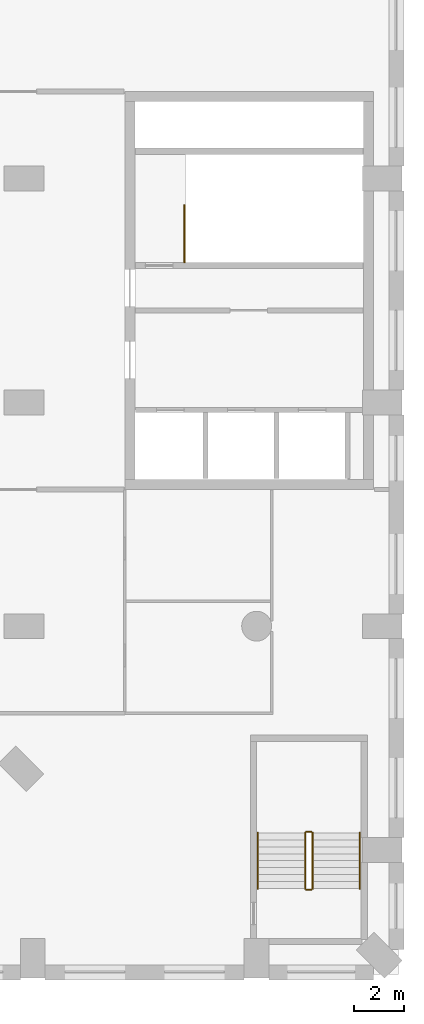
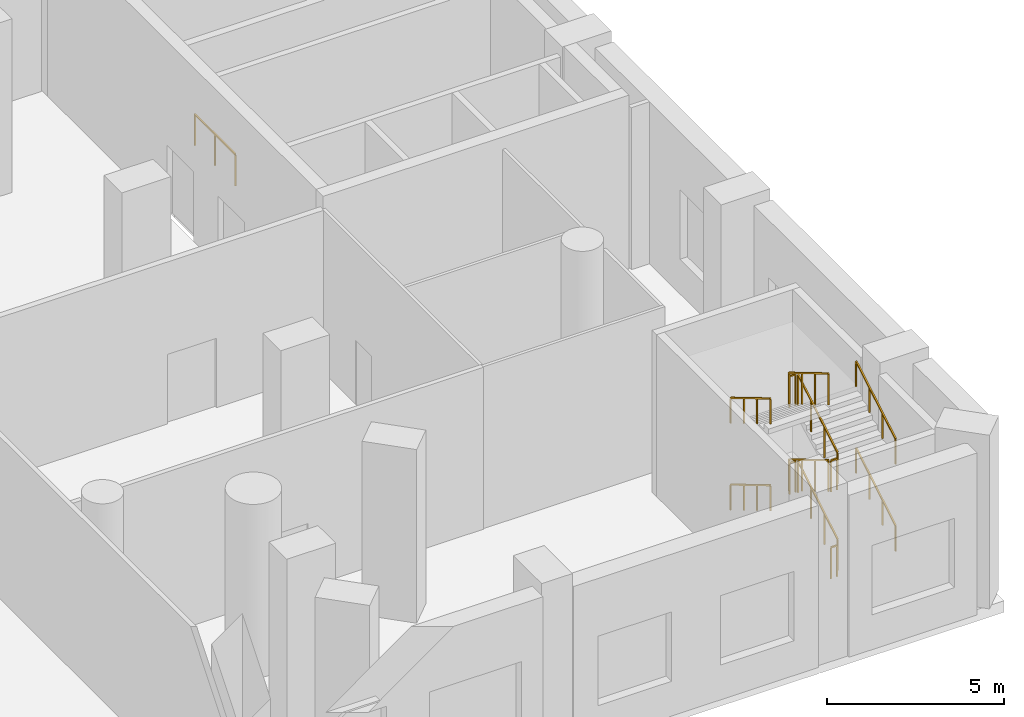
# One storey, part 19 of 19: 13 railings.
"""IFC4 building model written with IfcOpenShell, lengths in metres."""

from ifc_helpers import new_model, si_unit, direction, frame, origin, origin_2d, place, context, subcontext, project, spatial, rectangle, extrude, material, type_object, element, save


model = new_model("IFC4")

# Units and contexts
model_context = context("Model", 3, precision=1e-05, world=origin(), true_north=direction((0.0, 1.0)))
body_context = subcontext(model_context, "Body", "Model", "MODEL_VIEW")
ifc_project = project(units=[si_unit("LENGTHUNIT", "METRE"), si_unit("AREAUNIT", "SQUARE_METRE"), si_unit("VOLUMEUNIT", "CUBIC_METRE"), si_unit("PLANEANGLEUNIT", "RADIAN"), si_unit("MASSUNIT", "GRAM", prefix="KILO")], contexts=[model_context])

# Site, building, storey
site_placement = place(None, origin())
site = spatial("IfcSite", under=ifc_project, at=site_placement, CompositionType="ELEMENT")
building_placement = place(site_placement, origin())
building = spatial("IfcBuilding", under=site, at=building_placement, Name="Cypress Arch Tower", CompositionType="ELEMENT")
storey_placement = place(building_placement, frame((0.0, 0.0, 44.0)))
storey = spatial("IfcBuildingStorey", under=building, at=storey_placement, Name="L05", CompositionType="ELEMENT", Elevation=44.0)

# Railings
ifc_material_1 = material(Name="Black powder-coated steel square bar 48 mm", Category="steel")
railing_type_1 = type_object("IfcRailingType", Name="Stair handrail HR1", PredefinedType="HANDRAIL", material=ifc_material_1)
railing_1_placement = place(storey_placement, frame((37.449951171875, -24.050048828125, 0.166748046875)))
element("IfcRailing", 1, at=railing_1_placement, inside=storey, type_object=railing_type_1, Name="L05 P4 stair handrail 1", PredefinedType="HANDRAIL", context=body_context, shape_type="SweptSolid", body=[
    extrude(rectangle(XDim=0.048095703125, YDim=0.048095703125, at=origin_2d()), frame((0.0, 0.0, 0.8759765625), z_axis=(0.0, 0.859305625298, 0.511462454469), x_axis=(-1.0, 0.0, 0.0)), (0.0, 0.0, 1.0), 2.606689453125),
    extrude(rectangle(XDim=0.0419921875, YDim=0.0419921875, at=origin_2d()), origin(), (0.0, 0.0, 1.0), 0.851806640625),
    extrude(rectangle(XDim=0.0419921875, YDim=0.0419921875, at=origin_2d()), frame((0.0, 0.74658203125, 0.4443359375)), (0.0, 0.0, 1.0), 0.851806640625),
    extrude(rectangle(XDim=0.0419921875, YDim=0.0419921875, at=origin_2d()), frame((0.0, 1.493408203125, 0.888916015625)), (0.0, 0.0, 1.0), 0.851806640625),
    extrude(rectangle(XDim=0.0419921875, YDim=0.0419921875, at=origin_2d()), frame((0.0, 2.239990234375, 1.333251953125)), (0.0, 0.0, 1.0), 0.851806640625),
])
railing_2_placement = place(storey_placement, frame((33.35009765625, -21.81005859375, 1.666748046875)))
element("IfcRailing", 2, at=railing_2_placement, inside=storey, type_object=railing_type_1, Name="L05 P4 stair handrail 2", PredefinedType="HANDRAIL", context=body_context, shape_type="SweptSolid", body=[
    extrude(rectangle(XDim=0.048095703125, YDim=0.048095703125, at=origin_2d()), frame((0.0, 0.0, 0.8759765625), z_axis=(0.0, -0.859305625298, 0.511462454469), x_axis=(1.0, 0.0, 0.0)), (0.0, 0.0, 1.0), 2.606689453125),
    extrude(rectangle(XDim=0.0419921875, YDim=0.0419921875, at=origin_2d()), origin(), (0.0, 0.0, 1.0), 0.851806640625),
    extrude(rectangle(XDim=0.0419921875, YDim=0.0419921875, at=origin_2d()), frame((0.0, -0.74658203125, 0.4443359375)), (0.0, 0.0, 1.0), 0.851806640625),
    extrude(rectangle(XDim=0.0419921875, YDim=0.0419921875, at=origin_2d()), frame((0.0, -1.493408203125, 0.888916015625)), (0.0, 0.0, 1.0), 0.851806640625),
    extrude(rectangle(XDim=0.0419921875, YDim=0.0419921875, at=origin_2d()), frame((0.0, -2.239990234375, 1.333251953125)), (0.0, 0.0, 1.0), 0.851806640625),
])
railing_3_placement = place(storey_placement, frame((37.449951171875, -24.050048828125, 3.166748046875)))
element("IfcRailing", 3, at=railing_3_placement, inside=storey, type_object=railing_type_1, Name="L05 P4 stair handrail 3", PredefinedType="HANDRAIL", context=body_context, shape_type="SweptSolid", body=[
    extrude(rectangle(XDim=0.048095703125, YDim=0.048095703125, at=origin_2d()), frame((0.0, 0.0, 0.8759765625), z_axis=(0.0, 0.859305625298, 0.511462454469), x_axis=(-1.0, 0.0, 0.0)), (0.0, 0.0, 1.0), 2.606689453125),
    extrude(rectangle(XDim=0.0419921875, YDim=0.0419921875, at=origin_2d()), origin(), (0.0, 0.0, 1.0), 0.851806640625),
    extrude(rectangle(XDim=0.0419921875, YDim=0.0419921875, at=origin_2d()), frame((0.0, 0.74658203125, 0.4443359375)), (0.0, 0.0, 1.0), 0.851806640625),
    extrude(rectangle(XDim=0.0419921875, YDim=0.0419921875, at=origin_2d()), frame((0.0, 1.493408203125, 0.888916015625)), (0.0, 0.0, 1.0), 0.851806640625),
    extrude(rectangle(XDim=0.0419921875, YDim=0.0419921875, at=origin_2d()), frame((0.0, 2.239990234375, 1.333251953125)), (0.0, 0.0, 1.0), 0.851806640625),
])
railing_4_placement = place(storey_placement, frame((33.35009765625, -21.81005859375, 4.666748046875)))
element("IfcRailing", 4, at=railing_4_placement, inside=storey, type_object=railing_type_1, Name="L05 P4 stair handrail 4", PredefinedType="HANDRAIL", context=body_context, shape_type="SweptSolid", body=[
    extrude(rectangle(XDim=0.048095703125, YDim=0.048095703125, at=origin_2d()), frame((0.0, 0.0, 0.8759765625), z_axis=(0.0, -0.859305625298, 0.511462454469), x_axis=(1.0, 0.0, 0.0)), (0.0, 0.0, 1.0), 2.606689453125),
    extrude(rectangle(XDim=0.0419921875, YDim=0.0419921875, at=origin_2d()), origin(), (0.0, 0.0, 1.0), 0.851806640625),
    extrude(rectangle(XDim=0.0419921875, YDim=0.0419921875, at=origin_2d()), frame((0.0, -0.74658203125, 0.4443359375)), (0.0, 0.0, 1.0), 0.851806640625),
    extrude(rectangle(XDim=0.0419921875, YDim=0.0419921875, at=origin_2d()), frame((0.0, -1.493408203125, 0.888916015625)), (0.0, 0.0, 1.0), 0.851806640625),
    extrude(rectangle(XDim=0.0419921875, YDim=0.0419921875, at=origin_2d()), frame((0.0, -2.239990234375, 1.333251953125)), (0.0, 0.0, 1.0), 0.851806640625),
])
ifc_material_2 = material(Name="Black powder-coated steel balusters", Category="steel")
railing_type_2 = type_object("IfcRailingType", Name="Stair well guard G1", PredefinedType="GUARDRAIL", material=ifc_material_2)
railing_5_placement = place(storey_placement, frame((30.39990234375, 1.125, 0.0)))
element("IfcRailing", 5, at=railing_5_placement, inside=storey, type_object=railing_type_2, Name="L05 P3 top well guard 1", PredefinedType="GUARDRAIL", context=body_context, shape_type="SweptSolid", body=[
    extrude(rectangle(XDim=0.048095703125, YDim=0.048095703125, at=origin_2d()), frame((0.0, 0.0, 1.076171875), z_axis=(0.0, 1.0, 0.0), x_axis=(-1.0, 0.0, 0.0)), (0.0, 0.0, 1.0), 2.300048828125),
    extrude(rectangle(XDim=0.0419921875, YDim=0.0419921875, at=origin_2d()), origin(), (0.0, 0.0, 1.0), 1.052001953125),
    extrude(rectangle(XDim=0.0419921875, YDim=0.0419921875, at=origin_2d()), frame((0.0, 1.14990234375, 0.0)), (0.0, 0.0, 1.0), 1.052001953125),
    extrude(rectangle(XDim=0.0419921875, YDim=0.0419921875, at=origin_2d()), frame((0.0, 2.300048828125, 0.0)), (0.0, 0.0, 1.0), 1.052001953125),
])
railing_6_placement = place(storey_placement, frame((35.550048828125, -24.050048828125, 0.166748046875)))
element("IfcRailing", 6, at=railing_6_placement, inside=storey, type_object=railing_type_2, Name="L05 P4 stair guard 1", PredefinedType="GUARDRAIL", context=body_context, shape_type="SweptSolid", body=[
    extrude(rectangle(XDim=0.048095703125, YDim=0.048095703125, at=origin_2d()), frame((0.0, 0.0, 1.076171875), z_axis=(0.0, 0.859305625298, 0.511462454469), x_axis=(-1.0, 0.0, 0.0)), (0.0, 0.0, 1.0), 2.606689453125),
    extrude(rectangle(XDim=0.0419921875, YDim=0.0419921875, at=origin_2d()), origin(), (0.0, 0.0, 1.0), 1.052001953125),
    extrude(rectangle(XDim=0.0419921875, YDim=0.0419921875, at=origin_2d()), frame((0.0, 0.74658203125, 0.4443359375)), (0.0, 0.0, 1.0), 1.052001953125),
    extrude(rectangle(XDim=0.0419921875, YDim=0.0419921875, at=origin_2d()), frame((0.0, 1.493408203125, 0.888916015625)), (0.0, 0.0, 1.0), 1.052001953125),
    extrude(rectangle(XDim=0.0419921875, YDim=0.0419921875, at=origin_2d()), frame((0.0, 2.239990234375, 1.333251953125)), (0.0, 0.0, 1.0), 1.052001953125),
])
railing_7_placement = place(storey_placement, frame((35.5, -21.760009765625, 1.5)))
element("IfcRailing", 7, at=railing_7_placement, inside=storey, type_object=railing_type_2, Name="L05 P4 stair guard 2", PredefinedType="GUARDRAIL", context=body_context, shape_type="SweptSolid", body=[
    extrude(rectangle(XDim=0.048095703125, YDim=0.048095703125, at=origin_2d()), frame((0.0, 0.0, 1.076171875), z_axis=(-1.0, 0.0, 0.0), x_axis=(0.0, -1.0, 0.0)), (0.0, 0.0, 1.0), 0.199951171875),
    extrude(rectangle(XDim=0.0419921875, YDim=0.0419921875, at=origin_2d()), origin(), (0.0, 0.0, 1.0), 1.052001953125),
    extrude(rectangle(XDim=0.0419921875, YDim=0.0419921875, at=origin_2d()), frame((-0.199951171875, 0.0, 0.0)), (0.0, 0.0, 1.0), 1.052001953125),
])
railing_8_placement = place(storey_placement, frame((35.25, -21.81005859375, 1.666748046875)))
element("IfcRailing", 8, at=railing_8_placement, inside=storey, type_object=railing_type_2, Name="L05 P4 stair guard 3", PredefinedType="GUARDRAIL", context=body_context, shape_type="SweptSolid", body=[
    extrude(rectangle(XDim=0.048095703125, YDim=0.048095703125, at=origin_2d()), frame((0.0, 0.0, 1.076171875), z_axis=(0.0, -0.859305625298, 0.511462454469), x_axis=(1.0, 0.0, 0.0)), (0.0, 0.0, 1.0), 2.606689453125),
    extrude(rectangle(XDim=0.0419921875, YDim=0.0419921875, at=origin_2d()), origin(), (0.0, 0.0, 1.0), 1.052001953125),
    extrude(rectangle(XDim=0.0419921875, YDim=0.0419921875, at=origin_2d()), frame((0.0, -0.74658203125, 0.4443359375)), (0.0, 0.0, 1.0), 1.052001953125),
    extrude(rectangle(XDim=0.0419921875, YDim=0.0419921875, at=origin_2d()), frame((0.0, -1.493408203125, 0.888916015625)), (0.0, 0.0, 1.0), 1.052001953125),
    extrude(rectangle(XDim=0.0419921875, YDim=0.0419921875, at=origin_2d()), frame((0.0, -2.239990234375, 1.333251953125)), (0.0, 0.0, 1.0), 1.052001953125),
])
railing_9_placement = place(storey_placement, frame((35.5, -24.10009765625, 3.0)))
element("IfcRailing", 9, at=railing_9_placement, inside=storey, type_object=railing_type_2, Name="L05 P4 stair guard 4", PredefinedType="GUARDRAIL", context=body_context, shape_type="SweptSolid", body=[
    extrude(rectangle(XDim=0.048095703125, YDim=0.048095703125, at=origin_2d()), frame((0.0, 0.0, 1.076171875), z_axis=(-1.0, 0.0, 0.0), x_axis=(0.0, -1.0, 0.0)), (0.0, 0.0, 1.0), 0.199951171875),
    extrude(rectangle(XDim=0.0419921875, YDim=0.0419921875, at=origin_2d()), origin(), (0.0, 0.0, 1.0), 1.052001953125),
    extrude(rectangle(XDim=0.0419921875, YDim=0.0419921875, at=origin_2d()), frame((-0.199951171875, 0.0, 0.0)), (0.0, 0.0, 1.0), 1.052001953125),
])
railing_10_placement = place(storey_placement, frame((35.550048828125, -24.050048828125, 3.166748046875)))
element("IfcRailing", 10, at=railing_10_placement, inside=storey, type_object=railing_type_2, Name="L05 P4 stair guard 5", PredefinedType="GUARDRAIL", context=body_context, shape_type="SweptSolid", body=[
    extrude(rectangle(XDim=0.048095703125, YDim=0.048095703125, at=origin_2d()), frame((0.0, 0.0, 1.076171875), z_axis=(0.0, 0.859305625298, 0.511462454469), x_axis=(-1.0, 0.0, 0.0)), (0.0, 0.0, 1.0), 2.606689453125),
    extrude(rectangle(XDim=0.0419921875, YDim=0.0419921875, at=origin_2d()), origin(), (0.0, 0.0, 1.0), 1.052001953125),
    extrude(rectangle(XDim=0.0419921875, YDim=0.0419921875, at=origin_2d()), frame((0.0, 0.74658203125, 0.4443359375)), (0.0, 0.0, 1.0), 1.052001953125),
    extrude(rectangle(XDim=0.0419921875, YDim=0.0419921875, at=origin_2d()), frame((0.0, 1.493408203125, 0.888916015625)), (0.0, 0.0, 1.0), 1.052001953125),
    extrude(rectangle(XDim=0.0419921875, YDim=0.0419921875, at=origin_2d()), frame((0.0, 2.239990234375, 1.333251953125)), (0.0, 0.0, 1.0), 1.052001953125),
])
railing_11_placement = place(storey_placement, frame((35.5, -21.760009765625, 4.5)))
element("IfcRailing", 11, at=railing_11_placement, inside=storey, type_object=railing_type_2, Name="L05 P4 stair guard 6", PredefinedType="GUARDRAIL", context=body_context, shape_type="SweptSolid", body=[
    extrude(rectangle(XDim=0.048095703125, YDim=0.048095703125, at=origin_2d()), frame((0.0, 0.0, 1.076171875), z_axis=(-1.0, 0.0, 0.0), x_axis=(0.0, -1.0, 0.0)), (0.0, 0.0, 1.0), 0.199951171875),
    extrude(rectangle(XDim=0.0419921875, YDim=0.0419921875, at=origin_2d()), origin(), (0.0, 0.0, 1.0), 1.052001953125),
    extrude(rectangle(XDim=0.0419921875, YDim=0.0419921875, at=origin_2d()), frame((-0.199951171875, 0.0, 0.0)), (0.0, 0.0, 1.0), 1.052001953125),
])
railing_12_placement = place(storey_placement, frame((35.25, -21.81005859375, 4.666748046875)))
element("IfcRailing", 12, at=railing_12_placement, inside=storey, type_object=railing_type_2, Name="L05 P4 stair guard 7", PredefinedType="GUARDRAIL", context=body_context, shape_type="SweptSolid", body=[
    extrude(rectangle(XDim=0.048095703125, YDim=0.048095703125, at=origin_2d()), frame((0.0, 0.0, 1.076171875), z_axis=(0.0, -0.859305625298, 0.511462454469), x_axis=(1.0, 0.0, 0.0)), (0.0, 0.0, 1.0), 2.606689453125),
    extrude(rectangle(XDim=0.0419921875, YDim=0.0419921875, at=origin_2d()), origin(), (0.0, 0.0, 1.0), 1.052001953125),
    extrude(rectangle(XDim=0.0419921875, YDim=0.0419921875, at=origin_2d()), frame((0.0, -0.74658203125, 0.4443359375)), (0.0, 0.0, 1.0), 1.052001953125),
    extrude(rectangle(XDim=0.0419921875, YDim=0.0419921875, at=origin_2d()), frame((0.0, -1.493408203125, 0.888916015625)), (0.0, 0.0, 1.0), 1.052001953125),
    extrude(rectangle(XDim=0.0419921875, YDim=0.0419921875, at=origin_2d()), frame((0.0, -2.239990234375, 1.333251953125)), (0.0, 0.0, 1.0), 1.052001953125),
])
railing_13_placement = place(storey_placement, frame((35.5, -24.10009765625, 0.0)))
element("IfcRailing", 13, at=railing_13_placement, inside=storey, type_object=railing_type_2, Name="L05 P4 stair guard 8", PredefinedType="GUARDRAIL", context=body_context, shape_type="SweptSolid", body=[
    extrude(rectangle(XDim=0.048095703125, YDim=0.048095703125, at=origin_2d()), frame((0.0, 0.0, 1.076171875), z_axis=(-1.0, 0.0, 0.0), x_axis=(0.0, -1.0, 0.0)), (0.0, 0.0, 1.0), 0.199951171875),
    extrude(rectangle(XDim=0.0419921875, YDim=0.0419921875, at=origin_2d()), origin(), (0.0, 0.0, 1.0), 1.052001953125),
    extrude(rectangle(XDim=0.0419921875, YDim=0.0419921875, at=origin_2d()), frame((-0.199951171875, 0.0, 0.0)), (0.0, 0.0, 1.0), 1.052001953125),
])

save(model, "model.ifc")
